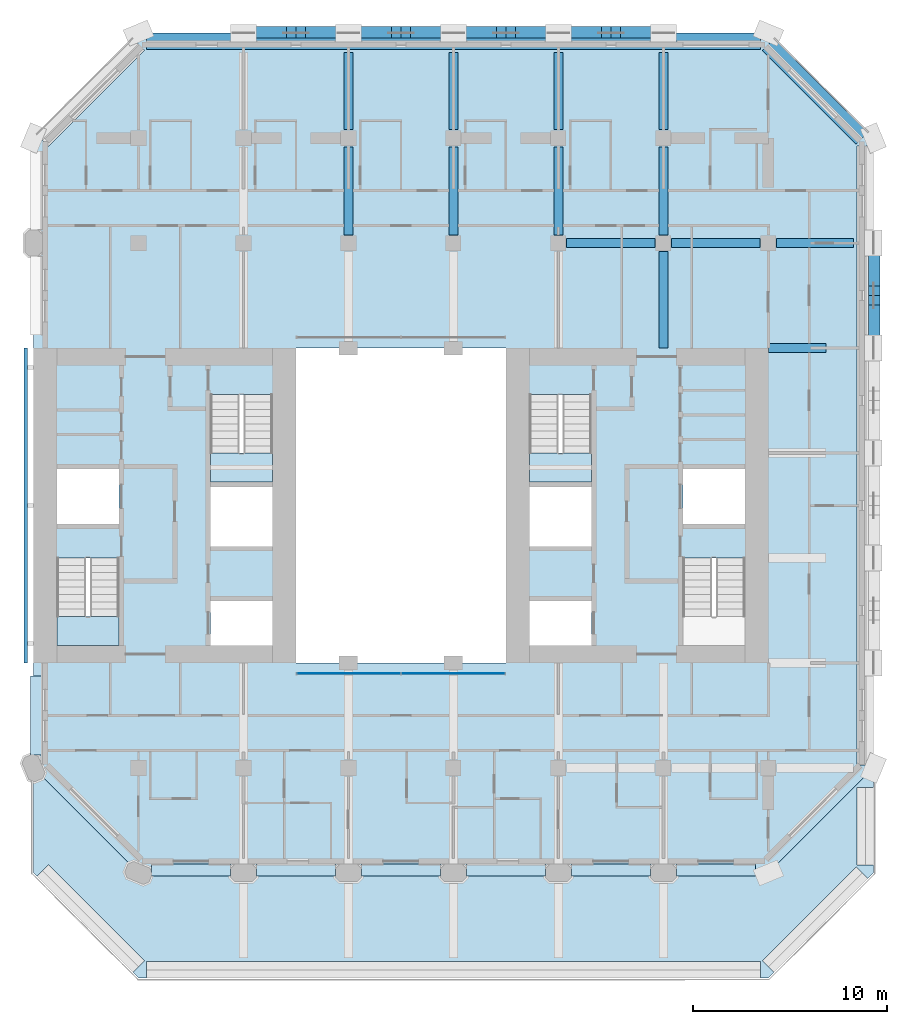
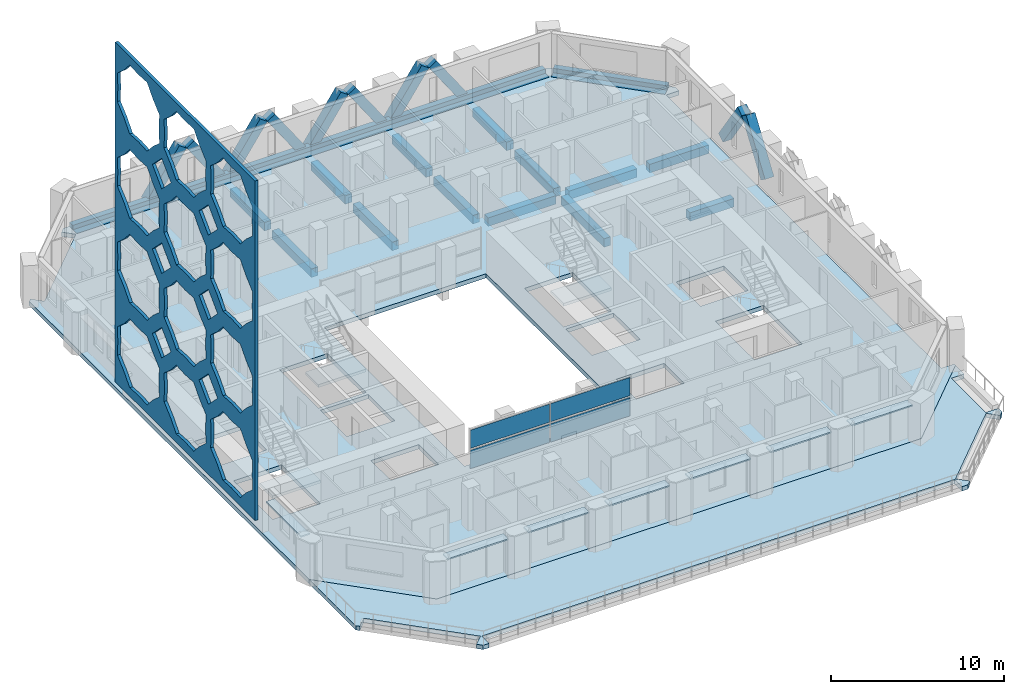
# One storey, part 7 of 17: 17 beams, 12 plates, 10 members, 5 slabs, 4 elements without a shape of their own.
"""IFC4 building model written with IfcOpenShell, lengths in metres."""

from ifc_helpers import new_model, si_unit, direction, frame, origin, origin_2d, place, context, subcontext, project, spatial, polyline, rectangle, outline, extrude, material, layer, layer_set, material_profile, profile_set, type_object, element, aggregate, save


model = new_model("IFC4")

# Units and contexts
model_context = context("Model", 3, precision=1e-05, world=origin(), true_north=direction((0.0, 1.0)))
body_context = subcontext(model_context, "Body", "Model", "MODEL_VIEW")
ifc_project = project(units=[si_unit("LENGTHUNIT", "METRE"), si_unit("AREAUNIT", "SQUARE_METRE"), si_unit("VOLUMEUNIT", "CUBIC_METRE"), si_unit("PLANEANGLEUNIT", "RADIAN"), si_unit("MASSUNIT", "GRAM", prefix="KILO")], contexts=[model_context])

# Site, building, storey
site_placement = place(None, origin())
site = spatial("IfcSite", under=ifc_project, at=site_placement, CompositionType="ELEMENT")
building_placement = place(site_placement, origin())
building = spatial("IfcBuilding", under=site, at=building_placement, Name="Tabaq Tower and Sports Hall", CompositionType="ELEMENT")
storey_placement = place(building_placement, frame((0.0, 0.0, 180.699951171875)))
storey = spatial("IfcBuildingStorey", under=building, at=storey_placement, Name="L43", CompositionType="ELEMENT", Elevation=180.699951171875)

# Beams
ifc_material_1 = material(Name="Concrete C40/50", Category="concrete")
ifc_material_profile_1 = material_profile(ifc_material_1, rectangle(XDim=0.449951171875, YDim=0.60009765625, at=origin_2d()), Name="CB 450x600")
ifc_profile_set_1 = profile_set([ifc_material_profile_1], Name="Concrete C40/50")
beam_type_1 = type_object("IfcBeamType", Name="PT CANTILEVER BEAM CB 450x600 C40/50", PredefinedType="BEAM", material=ifc_profile_set_1)
beam_1_placement = place(storey_placement, frame((46.14990234375, 32.39990234375, -0.599853515625), z_axis=(-1.0, 0.0, 0.0), x_axis=(0.0, -1.0, 0.0)))
element("IfcBeam", 1, at=beam_1_placement, inside=storey, type_object=beam_type_1, Name="Cantilever Beam L43 E6 span 1", PredefinedType="BEAM", context=body_context, shape_type="SweptSolid", body=[
    extrude(rectangle(XDim=0.449951171875, YDim=0.60009765625, at=origin_2d()), origin(), (0.0, 0.0, 1.0), 2.949951171875),
])
beam_2_placement = place(storey_placement, frame((47.574951171875, 37.800048828125, -0.599853515625), z_axis=(-1.0, 0.0, 0.0), x_axis=(0.0, -1.0, 0.0)))
element("IfcBeam", 2, at=beam_2_placement, inside=storey, type_object=beam_type_1, Name="Cantilever Beam L43 E7 span 1", PredefinedType="BEAM", context=body_context, shape_type="SweptSolid", body=[
    extrude(rectangle(XDim=0.449951171875, YDim=0.60009765625, at=origin_2d()), origin(), (0.0, 0.0, 1.0), 3.949951171875),
])
beam_3_placement = place(storey_placement, frame((42.77490234375, 37.800048828125, -0.599853515625), z_axis=(-1.0, 0.0, 0.0), x_axis=(0.0, -1.0, 0.0)))
element("IfcBeam", 3, at=beam_3_placement, inside=storey, type_object=beam_type_1, Name="Cantilever Beam L43 E7 span 2", PredefinedType="BEAM", context=body_context, shape_type="SweptSolid", body=[
    extrude(rectangle(XDim=0.449951171875, YDim=0.60009765625, at=origin_2d()), origin(), (0.0, 0.0, 1.0), 4.5498046875),
])
beam_4_placement = place(storey_placement, frame((37.375, 37.800048828125, -0.599853515625), z_axis=(-1.0, 0.0, 0.0), x_axis=(0.0, -1.0, 0.0)))
element("IfcBeam", 4, at=beam_4_placement, inside=storey, type_object=beam_type_1, Name="Cantilever Beam L43 E7 span 3", PredefinedType="BEAM", context=body_context, shape_type="SweptSolid", body=[
    extrude(rectangle(XDim=0.449951171875, YDim=0.60009765625, at=origin_2d()), origin(), (0.0, 0.0, 1.0), 4.550048828125),
])
beam_5_placement = place(storey_placement, frame((21.60009765625, 47.60009765625, -0.599853515625), z_axis=(0.0, -1.0, 0.0), x_axis=(1.0, 0.0, 0.0)))
element("IfcBeam", 5, at=beam_5_placement, inside=storey, type_object=beam_type_1, Name="Cantilever Beam L43 N4 span 1", PredefinedType="BEAM", context=body_context, shape_type="SweptSolid", body=[
    extrude(rectangle(XDim=0.449951171875, YDim=0.60009765625, at=origin_2d()), origin(), (0.0, 0.0, 1.0), 3.9501953125),
])
beam_6_placement = place(storey_placement, frame((21.60009765625, 42.75, -0.599853515625), z_axis=(0.0, -1.0, 0.0), x_axis=(1.0, 0.0, 0.0)))
element("IfcBeam", 6, at=beam_6_placement, inside=storey, type_object=beam_type_1, Name="Cantilever Beam L43 N4 span 2", PredefinedType="BEAM", context=body_context, shape_type="SweptSolid", body=[
    extrude(rectangle(XDim=0.449951171875, YDim=0.60009765625, at=origin_2d()), origin(), (0.0, 0.0, 1.0), 4.52490234375),
])
beam_7_placement = place(storey_placement, frame((27.0, 47.60009765625, -0.599853515625), z_axis=(0.0, -1.0, 0.0), x_axis=(1.0, 0.0, 0.0)))
element("IfcBeam", 7, at=beam_7_placement, inside=storey, type_object=beam_type_1, Name="Cantilever Beam L43 N5 span 1", PredefinedType="BEAM", context=body_context, shape_type="SweptSolid", body=[
    extrude(rectangle(XDim=0.449951171875, YDim=0.60009765625, at=origin_2d()), origin(), (0.0, 0.0, 1.0), 3.9501953125),
])
beam_8_placement = place(storey_placement, frame((27.0, 42.75, -0.599853515625), z_axis=(0.0, -1.0, 0.0), x_axis=(1.0, 0.0, 0.0)))
element("IfcBeam", 8, at=beam_8_placement, inside=storey, type_object=beam_type_1, Name="Cantilever Beam L43 N5 span 2", PredefinedType="BEAM", context=body_context, shape_type="SweptSolid", body=[
    extrude(rectangle(XDim=0.449951171875, YDim=0.60009765625, at=origin_2d()), origin(), (0.0, 0.0, 1.0), 4.52490234375),
])
beam_9_placement = place(storey_placement, frame((32.39990234375, 47.60009765625, -0.599853515625), z_axis=(0.0, -1.0, 0.0), x_axis=(1.0, 0.0, 0.0)))
element("IfcBeam", 9, at=beam_9_placement, inside=storey, type_object=beam_type_1, Name="Cantilever Beam L43 N6 span 1", PredefinedType="BEAM", context=body_context, shape_type="SweptSolid", body=[
    extrude(rectangle(XDim=0.449951171875, YDim=0.60009765625, at=origin_2d()), origin(), (0.0, 0.0, 1.0), 3.9501953125),
])
beam_10_placement = place(storey_placement, frame((32.39990234375, 42.75, -0.599853515625), z_axis=(0.0, -1.0, 0.0), x_axis=(1.0, 0.0, 0.0)))
element("IfcBeam", 10, at=beam_10_placement, inside=storey, type_object=beam_type_1, Name="Cantilever Beam L43 N6 span 2", PredefinedType="BEAM", context=body_context, shape_type="SweptSolid", body=[
    extrude(rectangle(XDim=0.449951171875, YDim=0.60009765625, at=origin_2d()), origin(), (0.0, 0.0, 1.0), 4.52490234375),
])
beam_11_placement = place(storey_placement, frame((37.800048828125, 47.60009765625, -0.599853515625), z_axis=(0.0, -1.0, 0.0), x_axis=(1.0, 0.0, 0.0)))
element("IfcBeam", 11, at=beam_11_placement, inside=storey, type_object=beam_type_1, Name="Cantilever Beam L43 N7 span 1", PredefinedType="BEAM", context=body_context, shape_type="SweptSolid", body=[
    extrude(rectangle(XDim=0.449951171875, YDim=0.60009765625, at=origin_2d()), origin(), (0.0, 0.0, 1.0), 3.9501953125),
])
beam_12_placement = place(storey_placement, frame((37.800048828125, 42.75, -0.599853515625), z_axis=(0.0, -1.0, 0.0), x_axis=(1.0, 0.0, 0.0)))
element("IfcBeam", 12, at=beam_12_placement, inside=storey, type_object=beam_type_1, Name="Cantilever Beam L43 N7 span 2", PredefinedType="BEAM", context=body_context, shape_type="SweptSolid", body=[
    extrude(rectangle(XDim=0.449951171875, YDim=0.60009765625, at=origin_2d()), origin(), (0.0, 0.0, 1.0), 4.52490234375),
])
beam_13_placement = place(storey_placement, frame((37.800048828125, 37.375, -0.599853515625), z_axis=(0.0, -1.0, 0.0), x_axis=(1.0, 0.0, 0.0)))
element("IfcBeam", 13, at=beam_13_placement, inside=storey, type_object=beam_type_1, Name="Cantilever Beam L43 N7 span 3", PredefinedType="BEAM", context=body_context, shape_type="SweptSolid", body=[
    extrude(rectangle(XDim=0.449951171875, YDim=0.60009765625, at=origin_2d()), origin(), (0.0, 0.0, 1.0), 4.97509765625),
])
ifc_material_2 = material(Name="Concrete C40/50", Category="concrete")
ifc_material_profile_2 = material_profile(ifc_material_2, rectangle(XDim=0.85009765625, YDim=0.300048828125, at=origin_2d()), Name="EB 850x300")
ifc_profile_set_2 = profile_set([ifc_material_profile_2], Name="Concrete C40/50")
beam_type_2 = type_object("IfcBeamType", Name="PT EDGE BEAM EB 850x300 C40/50", PredefinedType="SPANDREL", material=ifc_profile_set_2)
beam_14_placement = place(storey_placement, frame((48.01513671875, 43.183837890625, -0.14990234375), z_axis=(-0.707106781187, 0.707106781187, 0.0), x_axis=(-0.707106781187, -0.707106781187, 0.0)))
element("IfcBeam", 14, at=beam_14_placement, inside=storey, type_object=beam_type_2, Name="Edge Beam L43 2", PredefinedType="SPANDREL", context=body_context, shape_type="SweptSolid", body=[
    extrude(rectangle(XDim=0.85009765625, YDim=0.300048828125, at=origin_2d()), origin(), (0.0, 0.0, 1.0), 6.83251953125),
])
beam_15_placement = place(storey_placement, frame((42.7978515625, 48.175048828125, -0.14990234375), z_axis=(-1.0, 0.0, 0.0), x_axis=(0.0, -1.0, 0.0)))
element("IfcBeam", 15, at=beam_15_placement, inside=storey, type_object=beam_type_2, Name="Edge Beam L43 3", PredefinedType="SPANDREL", context=body_context, shape_type="SweptSolid", body=[
    extrude(rectangle(XDim=0.85009765625, YDim=0.300048828125, at=origin_2d()), origin(), (0.0, 0.0, 1.0), 31.595703125),
])
ifc_material_3 = material(Name="Concrete C40/50", Category="concrete")
ifc_material_profile_3 = material_profile(ifc_material_3, rectangle(XDim=0.39990234375, YDim=0.300048828125, at=origin_2d()), Name="EU 400x300")
ifc_profile_set_3 = profile_set([ifc_material_profile_3], Name="Concrete C40/50")
beam_type_3 = type_object("IfcBeamType", Name="PT EDGE UPSTAND EU 400x300 C40/50", PredefinedType="BEAM", material=ifc_profile_set_3)
beam_16_placement = place(storey_placement, frame((48.17431640625, 43.3427734375, 0.150146484375), z_axis=(-0.707106781187, 0.707106781187, 0.0), x_axis=(-0.707106781187, -0.707106781187, 0.0)))
element("IfcBeam", 16, at=beam_16_placement, inside=storey, type_object=beam_type_3, Name="Edge Upstand L43 2", PredefinedType="BEAM", context=body_context, shape_type="SweptSolid", body=[
    extrude(rectangle(XDim=0.39990234375, YDim=0.300048828125, at=origin_2d()), origin(), (0.0, 0.0, 1.0), 6.832763671875),
])
beam_17_placement = place(storey_placement, frame((42.7978515625, 48.39990234375, 0.150146484375), z_axis=(-1.0, 0.0, 0.0), x_axis=(0.0, -1.0, 0.0)))
element("IfcBeam", 17, at=beam_17_placement, inside=storey, type_object=beam_type_3, Name="Edge Upstand L43 3", PredefinedType="BEAM", context=body_context, shape_type="SweptSolid", body=[
    extrude(rectangle(XDim=0.39990234375, YDim=0.300048828125, at=origin_2d()), origin(), (0.0, 0.0, 1.0), 31.595703125),
])

# Members
ifc_material_4 = material(Name="Concrete C50/60", Category="concrete")
ifc_material_profile_4 = material_profile(ifc_material_4, rectangle(XDim=0.60009765625, YDim=0.60009765625, at=origin_2d()), Name="TRANSFER BAND BRACE 600x600")
ifc_profile_set_4 = profile_set([ifc_material_profile_4], Name="Concrete C50/60")
member_type = type_object("IfcMemberType", Name="RC TRANSFER BAND BRACE 600x600 C50/60", PredefinedType="BRACE", material=ifc_profile_set_4)
for number, where, z_axis, x_axis, name in (
    (18, (48.64990234375, 32.64990234375, -0.050048828125), (0.0, 0.566539494884, 0.8240345871), (-1.0, 0.0, 0.0), "Transfer Band Brace L43 East 7"),
    (19, (48.64990234375, 37.550048828125, -0.050048828125), (0.0, -0.566496805185, 0.824063935453), (1.0, 0.0, 0.0), "Transfer Band Brace L43 East 8"),
    (20, (16.449951171875, 48.64990234375, -0.050048828125), (0.566496805185, 0.0, 0.824063935453), (0.0, 1.0, 0.0), "Transfer Band Brace L43 North 9"),
    (21, (21.35009765625, 48.64990234375, -0.050048828125), (-0.566539494884, 0.0, 0.8240345871), (0.0, -1.0, 0.0), "Transfer Band Brace L43 North 10"),
    (22, (21.85009765625, 48.64990234375, -0.050048828125), (0.566496805185, 0.0, 0.824063935453), (0.0, 1.0, 0.0), "Transfer Band Brace L43 North 11"),
    (23, (26.75, 48.64990234375, -0.050048828125), (-0.566496805185, 0.0, 0.824063935453), (0.0, -1.0, 0.0), "Transfer Band Brace L43 North 12"),
    (24, (27.25, 48.64990234375, -0.050048828125), (0.566496805185, 0.0, 0.824063935453), (0.0, 1.0, 0.0), "Transfer Band Brace L43 North 13"),
    (25, (32.14990234375, 48.64990234375, -0.050048828125), (-0.566496805185, 0.0, 0.824063935453), (0.0, -1.0, 0.0), "Transfer Band Brace L43 North 14"),
    (26, (32.64990234375, 48.64990234375, -0.050048828125), (0.566539494884, 0.0, 0.8240345871), (0.0, 1.0, 0.0), "Transfer Band Brace L43 North 15"),
    (27, (37.550048828125, 48.64990234375, -0.050048828125), (-0.566496805185, 0.0, 0.824063935453), (0.0, -1.0, 0.0), "Transfer Band Brace L43 North 16"),
):
    element("IfcMember", number, at=place(storey_placement, frame(where, z_axis=z_axis, x_axis=x_axis)), inside=storey, type_object=member_type, Name=name, PredefinedType="BRACE", context=body_context, shape_type="SweptSolid", body=[
        extrude(rectangle(XDim=0.60009765625, YDim=0.60009765625, at=origin_2d()), origin(), (0.0, 0.0, 1.0), 3.883544921875),
    ])

# Curtain wall, plates
ifc_material_5 = material(Name="Aluminium alloy 6063-T6 framed glazing", Category="aluminium")
curtain_wall_type = type_object("IfcCurtainWallType", Name="CW1 curtain wall", PredefinedType="USERDEFINED", material=ifc_material_5)
curtain_wall_placement = place(storey_placement, origin())
curtain_wall = element("IfcCurtainWall", 28, at=curtain_wall_placement, inside=storey, type_object=curtain_wall_type, Name="Atrium glazing L43 S", ObjectType="ATRIUM ENCLOSURE", PredefinedType="USERDEFINED")
ifc_material_6 = material(Name="Clear low-emissivity glass 28 mm", Category="glass")
ifc_layer_1 = layer(ifc_material_6, 0.028076171875)
ifc_layer_set_1 = layer_set([ifc_layer_1], Name="CW1 glass panel 28")
plate_type_1 = type_object("IfcPlateType", Name="CW1 glass panel 28", PredefinedType="CURTAIN_PANEL", material=ifc_layer_set_1)
plate_1_placement = place(storey_placement, frame((21.614990234375, 15.64990234375, 0.14013671875), z_axis=(0.0, 0.0, 1.0), x_axis=(1.0, 0.0, 0.0)))
plate_1 = element("IfcPlate", 29, at=plate_1_placement, type_object=plate_type_1, Name="CW1 panel 1.1", PredefinedType="CURTAIN_PANEL", context=body_context, shape_type="SweptSolid", body=[
    extrude(rectangle(XDim=5.31005859375, YDim=0.028076171875, at=origin_2d()), origin(), (0.0, 0.0, 1.0), 1.2900390625),
])
plate_2_placement = place(storey_placement, frame((21.614990234375, 15.64990234375, 1.570068359375), z_axis=(0.0, 0.0, 1.0), x_axis=(1.0, 0.0, 0.0)))
plate_2 = element("IfcPlate", 30, at=plate_2_placement, type_object=plate_type_1, Name="CW1 panel 1.2", PredefinedType="CURTAIN_PANEL", context=body_context, shape_type="SweptSolid", body=[
    extrude(rectangle(XDim=5.31005859375, YDim=0.028076171875, at=origin_2d()), origin(), (0.0, 0.0, 1.0), 1.2900390625),
])
plate_3_placement = place(storey_placement, frame((26.985107421875, 15.64990234375, 0.14013671875), z_axis=(0.0, 0.0, 1.0), x_axis=(1.0, 0.0, 0.0)))
plate_3 = element("IfcPlate", 31, at=plate_3_placement, type_object=plate_type_1, Name="CW1 panel 2.1", PredefinedType="CURTAIN_PANEL", context=body_context, shape_type="SweptSolid", body=[
    extrude(rectangle(XDim=5.31005859375, YDim=0.028076171875, at=origin_2d()), origin(), (0.0, 0.0, 1.0), 1.2900390625),
])
plate_4_placement = place(storey_placement, frame((26.985107421875, 15.64990234375, 1.570068359375), z_axis=(0.0, 0.0, 1.0), x_axis=(1.0, 0.0, 0.0)))
plate_4 = element("IfcPlate", 32, at=plate_4_placement, type_object=plate_type_1, Name="CW1 panel 2.2", PredefinedType="CURTAIN_PANEL", context=body_context, shape_type="SweptSolid", body=[
    extrude(rectangle(XDim=5.31005859375, YDim=0.028076171875, at=origin_2d()), origin(), (0.0, 0.0, 1.0), 1.2900390625),
])
aggregate(curtain_wall, [plate_1, plate_2, plate_3, plate_4])

# Stair, slab
ifc_material_7 = material(Name="Concrete C40/50", Category="concrete")
stair_type = type_object("IfcStairType", Name="Exit stair", PredefinedType="HALF_TURN_STAIR", material=ifc_material_7)
stair_1_placement = place(storey_placement, origin())
stair_1 = element("IfcStair", 33, at=stair_1_placement, inside=storey, type_object=stair_type, Name="L43 Exit stair ST1", PredefinedType="HALF_TURN_STAIR")
ifc_material_8 = material(Name="Concrete C40/50", Category="concrete")
ifc_layer_2 = layer(ifc_material_8, 0.199951171875)
ifc_layer_set_2 = layer_set([ifc_layer_2], Name="Exit stair landing")
slab_type_1 = type_object("IfcSlabType", Name="Exit stair landing", PredefinedType="LANDING", material=ifc_layer_set_2)
slab_1_placement = place(storey_placement, frame((0.0, 0.0, 1.449951171875)))
slab_1 = element("IfcSlab", 34, at=slab_1_placement, type_object=slab_type_1, Name="ST1 landing 1", PredefinedType="LANDING", context=body_context, shape_type="SweptSolid", body=[
    extrude(outline(polyline([(6.60009765625, 18.60009765625), (6.60009765625, 17.10009765625), (9.800048828125, 17.10009765625), (9.800048828125, 18.60009765625), (6.60009765625, 18.60009765625)])), origin(), (0.0, 0.0, 1.0), 0.2001953125),
])
aggregate(stair_1, [slab_1])

stair_2_placement = place(storey_placement, origin())
stair_2 = element("IfcStair", 35, at=stair_2_placement, inside=storey, type_object=stair_type, Name="L43 Exit stair ST2", PredefinedType="HALF_TURN_STAIR")
slab_2_placement = place(storey_placement, frame((0.0, 0.0, 1.449951171875)))
slab_2 = element("IfcSlab", 36, at=slab_2_placement, type_object=slab_type_1, Name="ST2 landing 1", PredefinedType="LANDING", context=body_context, shape_type="SweptSolid", body=[
    extrude(outline(polyline([(14.5, 27.0), (14.5, 25.5), (17.699951171875, 25.5), (17.699951171875, 27.0), (14.5, 27.0)])), origin(), (0.0, 0.0, 1.0), 0.2001953125),
])
aggregate(stair_2, [slab_2])

stair_3_placement = place(storey_placement, origin())
stair_3 = element("IfcStair", 37, at=stair_3_placement, inside=storey, type_object=stair_type, Name="L43 Exit stair ST4", PredefinedType="HALF_TURN_STAIR")
slab_3_placement = place(storey_placement, frame((0.0, 0.0, 1.449951171875)))
slab_3 = element("IfcSlab", 38, at=slab_3_placement, type_object=slab_type_1, Name="ST4 landing 1", PredefinedType="LANDING", context=body_context, shape_type="SweptSolid", body=[
    extrude(outline(polyline([(30.89990234375, 27.0), (30.89990234375, 25.5), (34.10009765625, 25.5), (34.10009765625, 27.0), (30.89990234375, 27.0)])), origin(), (0.0, 0.0, 1.0), 0.2001953125),
])
aggregate(stair_3, [slab_3])

# Slabs
ifc_material_9 = material(Name="Concrete C40/50", Category="concrete")
ifc_layer_3 = layer(ifc_material_9, 0.300048828125)
ifc_layer_set_3 = layer_set([ifc_layer_3], Name="PT FLOOR SLAB 300 C40/50")
slab_type_2 = type_object("IfcSlabType", Name="PT FLOOR SLAB 300 C40/50", PredefinedType="FLOOR", material=ifc_layer_set_3)
slab_4_placement = place(storey_placement, frame((0.0, 0.0, -0.300048828125)))
element("IfcSlab", 39, at=slab_4_placement, inside=storey, type_object=slab_type_2, Name="Floor Slab L43", PredefinedType="FLOOR", context=body_context, shape_type="SweptSolid", body=[
    extrude(outline(polyline([(5.39990234375, 43.199951171875), (5.39990234375, 10.800048828125), (10.800048828125, 5.39990234375), (43.199951171875, 5.39990234375), (48.60009765625, 10.800048828125), (48.60009765625, 10.9619140625), (47.85009765625, 10.9619140625), (47.75, 10.9619140625), (47.75, 42.7978515625), (47.85009765625, 42.7978515625), (48.60009765625, 42.7978515625), (48.60009765625, 43.199951171875), (48.315673828125, 43.484375), (47.785400390625, 42.9541015625), (47.714599609375, 42.88330078125), (42.88330078125, 47.714599609375), (42.9541015625, 47.785400390625), (43.484375, 48.315673828125), (43.199951171875, 48.60009765625), (42.7978515625, 48.60009765625), (42.7978515625, 47.85009765625), (42.7978515625, 47.75), (11.2021484375, 47.75), (11.2021484375, 47.85009765625), (11.2021484375, 48.60009765625), (10.800048828125, 48.60009765625), (10.515625, 48.315673828125), (11.0458984375, 47.785400390625), (11.0458984375, 47.785400390625), (11.11669921875, 47.714599609375), (6.177734375, 42.775634765625), (5.57666015625, 43.376708984375), (5.39990234375, 43.199951171875)]), holes=[polyline([(14.5, 19.39990234375), (17.699951171875, 19.39990234375), (17.699951171875, 17.10009765625), (14.5, 17.10009765625), (14.5, 19.39990234375)]), polyline([(6.60009765625, 21.599365234375), (9.800048828125, 21.599365234375), (9.800048828125, 17.10009765625), (6.60009765625, 17.10009765625), (6.60009765625, 21.599365234375)]), polyline([(14.5, 25.25), (17.699951171875, 25.25), (17.699951171875, 22.199951171875), (14.5, 22.199951171875), (14.5, 25.25)]), polyline([(18.89990234375, 32.39990234375), (29.699951171875, 32.39990234375), (29.699951171875, 16.199951171875), (18.89990234375, 16.199951171875), (18.89990234375, 32.39990234375)]), polyline([(9.800048828125, 26.175048828125), (9.800048828125, 23.35009765625), (6.60009765625, 23.35009765625), (6.60009765625, 26.175048828125), (9.800048828125, 26.175048828125)]), polyline([(14.5, 29.99951171875), (17.699951171875, 29.99951171875), (17.699951171875, 25.5), (14.5, 25.5), (14.5, 29.99951171875)]), polyline([(34.10009765625, 19.39990234375), (34.10009765625, 17.10009765625), (30.89990234375, 17.10009765625), (30.89990234375, 19.39990234375), (34.10009765625, 19.39990234375)]), polyline([(42.0, 21.599365234375), (42.0, 17.10009765625), (38.800048828125, 17.10009765625), (38.800048828125, 21.599365234375), (42.0, 21.599365234375)]), polyline([(30.89990234375, 25.25), (34.10009765625, 25.25), (34.10009765625, 22.199951171875), (30.89990234375, 22.199951171875), (30.89990234375, 25.25)]), polyline([(42.0, 26.175048828125), (42.0, 23.35009765625), (38.800048828125, 23.35009765625), (38.800048828125, 26.175048828125), (42.0, 26.175048828125)]), polyline([(34.10009765625, 29.99951171875), (34.10009765625, 25.5), (30.89990234375, 25.5), (30.89990234375, 29.99951171875), (34.10009765625, 29.99951171875)])]), origin(), (0.0, 0.0, 1.0), 0.300048828125),
])
ifc_material_10 = material(Name="Concrete C40/50", Category="concrete")
ifc_layer_4 = layer(ifc_material_10, 0.300048828125)
ifc_layer_set_4 = layer_set([ifc_layer_4], Name="PT TERRACE SLAB 300 C40/50")
slab_type_3 = type_object("IfcSlabType", Name="PT TERRACE SLAB 300 C40/50", PredefinedType="FLOOR", material=ifc_layer_set_4)
slab_5_placement = place(storey_placement, frame((0.0, 0.0, -0.300048828125)))
element("IfcSlab", 40, at=slab_5_placement, inside=storey, type_object=slab_type_3, Name="Terrace Slab L43", PredefinedType="FLOOR", context=body_context, shape_type="SweptSolid", body=[
    extrude(outline(polyline([(42.7978515625, 0.0), (43.199951171875, 0.0), (43.484375, 0.284423828125), (42.88330078125, 0.88525390625), (47.714599609375, 5.716796875), (47.785400390625, 5.64599609375), (48.315673828125, 5.11572265625), (48.60009765625, 5.39990234375), (48.60009765625, 5.802001953125), (47.85009765625, 5.802001953125), (47.75, 5.802001953125), (47.75, 9.7880859375), (47.85009765625, 9.7880859375), (48.60009765625, 9.7880859375), (48.60009765625, 10.800048828125), (43.199951171875, 5.39990234375), (10.800048828125, 5.39990234375), (5.39990234375, 10.800048828125), (5.39990234375, 5.39990234375), (5.57666015625, 5.22314453125), (6.107177734375, 5.753662109375), (6.177734375, 5.82421875), (11.11669921875, 0.88525390625), (11.0458984375, 0.814697265625), (10.515625, 0.284423828125), (10.800048828125, 0.0), (11.2021484375, 0.0), (11.2021484375, 0.75), (11.2021484375, 0.85009765625), (42.7978515625, 0.85009765625), (42.7978515625, 0.75), (42.7978515625, 0.0)])), origin(), (0.0, 0.0, 1.0), 0.300048828125),
])

# Plates
ifc_material_11 = material(Name="White precast concrete C60/75 pierced screen", Category="concrete")
ifc_layer_5 = layer(ifc_material_11, 0.199951171875)
ifc_layer_set_5 = layer_set([ifc_layer_5], Name="White precast concrete C60/75 girih screen 200")
plate_type_2 = type_object("IfcPlateType", Name="White precast concrete C60/75 girih screen 200", PredefinedType="USERDEFINED", material=ifc_layer_set_5)
plate_5_placement = place(storey_placement, frame((5.0, 32.39990234375, 1.050048828125), z_axis=(0.0, 0.0, 1.0), x_axis=(0.0, -1.0, 0.0)))
element("IfcPlate", 41, at=plate_5_placement, inside=storey, type_object=plate_type_2, Name="Girih screen H2 W", ObjectType="SCREEN", PredefinedType="USERDEFINED", context=body_context, shape_type="SweptSolid", body=[
    extrude(outline(polyline([(0.0, 0.0), (16.199951171875, 0.0), (16.199951171875, 24.0), (0.0, 24.0), (0.0, 0.0)]), holes=[polyline([(5.134521484375, 4.0458984375), (4.376953125, 4.714599609375), (3.70849609375, 5.47216796875), (2.699951171875, 5.4091796875), (1.691650390625, 5.47216796875), (1.02294921875, 4.714599609375), (0.265380859375, 4.0458984375), (0.328369140625, 3.03759765625), (0.265380859375, 2.029052734375), (1.02294921875, 1.3603515625), (1.691650390625, 0.602783203125), (2.699951171875, 0.665771484375), (3.70849609375, 0.602783203125), (4.376953125, 1.3603515625), (5.134521484375, 2.029052734375), (5.07177734375, 3.03759765625), (5.134521484375, 4.0458984375)]), polyline([(5.134521484375, 10.02099609375), (4.376953125, 10.689453125), (3.70849609375, 11.447021484375), (2.699951171875, 11.38427734375), (1.691650390625, 11.447021484375), (1.02294921875, 10.689453125), (0.265380859375, 10.02099609375), (0.328369140625, 9.012451171875), (0.265380859375, 8.004150390625), (1.02294921875, 7.33544921875), (1.691650390625, 6.577880859375), (2.699951171875, 6.640869140625), (3.70849609375, 6.577880859375), (4.376953125, 7.33544921875), (5.134521484375, 8.004150390625), (5.07177734375, 9.012451171875), (5.134521484375, 10.02099609375)]), polyline([(5.134521484375, 15.995849609375), (4.376953125, 16.66455078125), (3.70849609375, 17.422119140625), (2.699951171875, 17.359130859375), (1.691650390625, 17.422119140625), (1.02294921875, 16.66455078125), (0.265380859375, 15.995849609375), (0.328369140625, 14.987548828125), (0.265380859375, 13.97900390625), (1.02294921875, 13.310546875), (1.691650390625, 12.552978515625), (2.699951171875, 12.61572265625), (3.70849609375, 12.552978515625), (4.376953125, 13.310546875), (5.134521484375, 13.97900390625), (5.07177734375, 14.987548828125), (5.134521484375, 15.995849609375)]), polyline([(5.134521484375, 21.970947265625), (4.376953125, 22.6396484375), (3.70849609375, 23.397216796875), (2.699951171875, 23.334228515625), (1.691650390625, 23.397216796875), (1.02294921875, 22.6396484375), (0.265380859375, 21.970947265625), (0.328369140625, 20.96240234375), (0.265380859375, 19.9541015625), (1.02294921875, 19.285400390625), (1.691650390625, 18.52783203125), (2.699951171875, 18.5908203125), (3.70849609375, 18.52783203125), (4.376953125, 19.285400390625), (5.134521484375, 19.9541015625), (5.07177734375, 20.96240234375), (5.134521484375, 21.970947265625)]), polyline([(10.53466796875, 4.0458984375), (9.777099609375, 4.714599609375), (9.1083984375, 5.47216796875), (8.10009765625, 5.4091796875), (7.091552734375, 5.47216796875), (6.4228515625, 4.714599609375), (5.665283203125, 4.0458984375), (5.728271484375, 3.03759765625), (5.665283203125, 2.029052734375), (6.4228515625, 1.3603515625), (7.091552734375, 0.602783203125), (8.10009765625, 0.665771484375), (9.1083984375, 0.602783203125), (9.777099609375, 1.3603515625), (10.53466796875, 2.029052734375), (10.4716796875, 3.03759765625), (10.53466796875, 4.0458984375)]), polyline([(10.53466796875, 10.02099609375), (9.777099609375, 10.689453125), (9.1083984375, 11.447021484375), (8.10009765625, 11.38427734375), (7.091552734375, 11.447021484375), (6.4228515625, 10.689453125), (5.665283203125, 10.02099609375), (5.728271484375, 9.012451171875), (5.665283203125, 8.004150390625), (6.4228515625, 7.33544921875), (7.091552734375, 6.577880859375), (8.10009765625, 6.640869140625), (9.1083984375, 6.577880859375), (9.777099609375, 7.33544921875), (10.53466796875, 8.004150390625), (10.4716796875, 9.012451171875), (10.53466796875, 10.02099609375)]), polyline([(10.53466796875, 15.995849609375), (9.777099609375, 16.66455078125), (9.1083984375, 17.422119140625), (8.10009765625, 17.359130859375), (7.091552734375, 17.422119140625), (6.4228515625, 16.66455078125), (5.665283203125, 15.995849609375), (5.728271484375, 14.987548828125), (5.665283203125, 13.97900390625), (6.4228515625, 13.310546875), (7.091552734375, 12.552978515625), (8.10009765625, 12.61572265625), (9.1083984375, 12.552978515625), (9.777099609375, 13.310546875), (10.53466796875, 13.97900390625), (10.4716796875, 14.987548828125), (10.53466796875, 15.995849609375)]), polyline([(10.53466796875, 21.970947265625), (9.777099609375, 22.6396484375), (9.1083984375, 23.397216796875), (8.10009765625, 23.334228515625), (7.091552734375, 23.397216796875), (6.4228515625, 22.6396484375), (5.665283203125, 21.970947265625), (5.728271484375, 20.96240234375), (5.665283203125, 19.9541015625), (6.4228515625, 19.285400390625), (7.091552734375, 18.52783203125), (8.10009765625, 18.5908203125), (9.1083984375, 18.52783203125), (9.777099609375, 19.285400390625), (10.53466796875, 19.9541015625), (10.4716796875, 20.96240234375), (10.53466796875, 21.970947265625)]), polyline([(15.9345703125, 4.0458984375), (15.177001953125, 4.714599609375), (14.508544921875, 5.47216796875), (13.5, 5.4091796875), (12.491455078125, 5.47216796875), (11.822998046875, 4.714599609375), (11.0654296875, 4.0458984375), (11.12841796875, 3.03759765625), (11.0654296875, 2.029052734375), (11.822998046875, 1.3603515625), (12.491455078125, 0.602783203125), (13.5, 0.665771484375), (14.508544921875, 0.602783203125), (15.177001953125, 1.3603515625), (15.9345703125, 2.029052734375), (15.87158203125, 3.03759765625), (15.9345703125, 4.0458984375)]), polyline([(15.9345703125, 10.02099609375), (15.177001953125, 10.689453125), (14.508544921875, 11.447021484375), (13.5, 11.38427734375), (12.491455078125, 11.447021484375), (11.822998046875, 10.689453125), (11.0654296875, 10.02099609375), (11.12841796875, 9.012451171875), (11.0654296875, 8.004150390625), (11.822998046875, 7.33544921875), (12.491455078125, 6.577880859375), (13.5, 6.640869140625), (14.508544921875, 6.577880859375), (15.177001953125, 7.33544921875), (15.9345703125, 8.004150390625), (15.87158203125, 9.012451171875), (15.9345703125, 10.02099609375)]), polyline([(15.9345703125, 15.995849609375), (15.177001953125, 16.66455078125), (14.508544921875, 17.422119140625), (13.5, 17.359130859375), (12.491455078125, 17.422119140625), (11.822998046875, 16.66455078125), (11.0654296875, 15.995849609375), (11.12841796875, 14.987548828125), (11.0654296875, 13.97900390625), (11.822998046875, 13.310546875), (12.491455078125, 12.552978515625), (13.5, 12.61572265625), (14.508544921875, 12.552978515625), (15.177001953125, 13.310546875), (15.9345703125, 13.97900390625), (15.87158203125, 14.987548828125), (15.9345703125, 15.995849609375)]), polyline([(15.9345703125, 21.970947265625), (15.177001953125, 22.6396484375), (14.508544921875, 23.397216796875), (13.5, 23.334228515625), (12.491455078125, 23.397216796875), (11.822998046875, 22.6396484375), (11.0654296875, 21.970947265625), (11.12841796875, 20.96240234375), (11.0654296875, 19.9541015625), (11.822998046875, 19.285400390625), (12.491455078125, 18.52783203125), (13.5, 18.5908203125), (14.508544921875, 18.52783203125), (15.177001953125, 19.285400390625), (15.9345703125, 19.9541015625), (15.87158203125, 20.96240234375), (15.9345703125, 21.970947265625)]), polyline([(6.47998046875, 6.02490234375), (5.39990234375, 7.10498046875), (4.320068359375, 6.02490234375), (5.39990234375, 4.945068359375), (6.47998046875, 6.02490234375)]), polyline([(6.47998046875, 12.0), (5.39990234375, 13.080078125), (4.320068359375, 12.0), (5.39990234375, 10.919921875), (6.47998046875, 12.0)]), polyline([(6.47998046875, 17.97509765625), (5.39990234375, 19.054931640625), (4.320068359375, 17.97509765625), (5.39990234375, 16.89501953125), (6.47998046875, 17.97509765625)]), polyline([(11.8798828125, 6.02490234375), (10.800048828125, 7.10498046875), (9.719970703125, 6.02490234375), (10.800048828125, 4.945068359375), (11.8798828125, 6.02490234375)]), polyline([(11.8798828125, 12.0), (10.800048828125, 13.080078125), (9.719970703125, 12.0), (10.800048828125, 10.919921875), (11.8798828125, 12.0)]), polyline([(11.8798828125, 17.97509765625), (10.800048828125, 19.054931640625), (9.719970703125, 17.97509765625), (10.800048828125, 16.89501953125), (11.8798828125, 17.97509765625)])]), frame((0.0, 0.10009765625, 0.0), z_axis=(0.0, -1.0, 0.0), x_axis=(1.0, 0.0, 0.0)), (0.0, 0.0, 1.0), 0.199951171875),
])
ifc_material_12 = material(Name="White precast concrete C60/75 blade", Category="concrete")
ifc_layer_6 = layer(ifc_material_12, 0.10009765625)
ifc_layer_set_6 = layer_set([ifc_layer_6], Name="White precast concrete C60/75 sunshade 100")
plate_type_3 = type_object("IfcPlateType", Name="White precast concrete C60/75 sunshade 100", PredefinedType="USERDEFINED", material=ifc_layer_set_6)
for number, where, z_axis, x_axis, name in (
    (42, (13.5, 5.550048828125, 2.60009765625), (0.0, 0.0, 1.0), (1.0, 0.0, 0.0), "Sunshade L43 S"),
    (43, (18.89990234375, 5.550048828125, 2.60009765625), (0.0, 0.0, 1.0), (1.0, 0.0, 0.0), "Sunshade L43 S"),
    (44, (24.300048828125, 5.550048828125, 2.60009765625), (0.0, 0.0, 1.0), (1.0, 0.0, 0.0), "Sunshade L43 S"),
    (45, (29.699951171875, 5.550048828125, 2.60009765625), (0.0, 0.0, 1.0), (1.0, 0.0, 0.0), "Sunshade L43 S"),
    (46, (35.10009765625, 5.550048828125, 2.60009765625), (0.0, 0.0, 1.0), (1.0, 0.0, 0.0), "Sunshade L43 S"),
    (47, (40.5, 5.550048828125, 2.60009765625), (0.0, 0.0, 1.0), (1.0, 0.0, 0.0), "Sunshade L43 S"),
    (48, (5.550048828125, 13.5, 2.60009765625), (0.0, 0.0, 1.0), (0.0, -1.0, 0.0), "Sunshade L43 W"),
):
    element("IfcPlate", number, at=place(storey_placement, frame(where, z_axis=z_axis, x_axis=x_axis)), inside=storey, type_object=plate_type_3, Name=name, ObjectType="SUNSHADE", PredefinedType="USERDEFINED", context=body_context, shape_type="SweptSolid", body=[
        extrude(rectangle(XDim=4.050048828125, YDim=0.60009765625, at=origin_2d()), origin(), (0.0, 0.0, 1.0), 0.10009765625),
    ])

save(model, "model.ifc")
